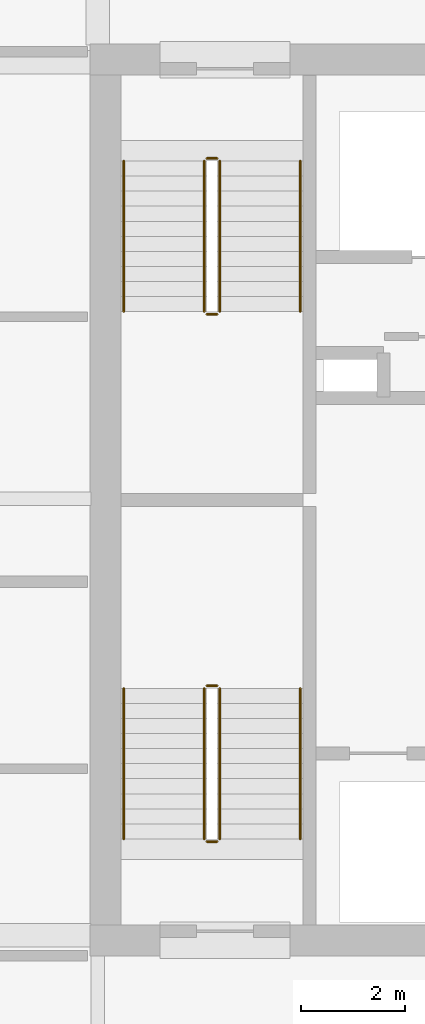
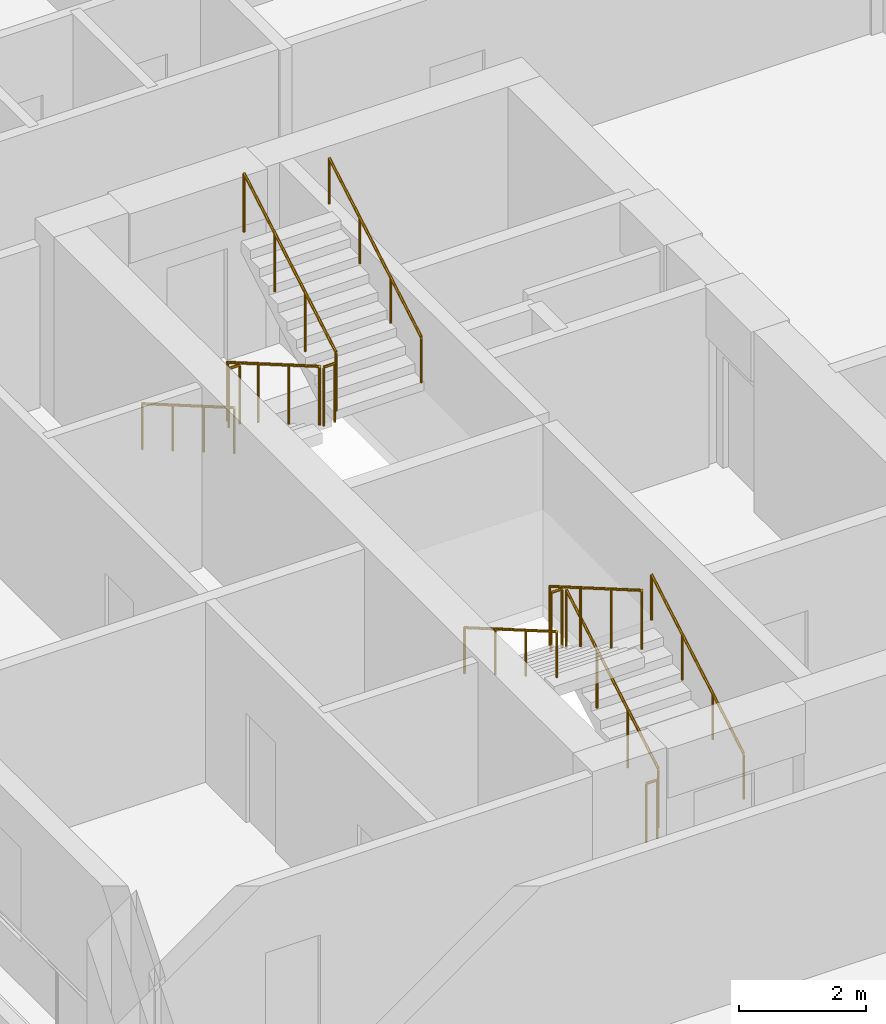
# One storey, part 12 of 13: 12 railings.
"""IFC4 building model written with IfcOpenShell, lengths in metres."""

from ifc_helpers import new_model, si_unit, direction, frame, origin, origin_2d, place, context, subcontext, project, spatial, circle, extrude, material, type_object, element, save


model = new_model("IFC4")

# Units and contexts
model_context = context("Model", 3, precision=1e-05, world=origin(), true_north=direction((0.0, 1.0)))
body_context = subcontext(model_context, "Body", "Model", "MODEL_VIEW")
ifc_project = project(units=[si_unit("LENGTHUNIT", "METRE"), si_unit("AREAUNIT", "SQUARE_METRE"), si_unit("VOLUMEUNIT", "CUBIC_METRE"), si_unit("PLANEANGLEUNIT", "RADIAN"), si_unit("MASSUNIT", "GRAM", prefix="KILO")], contexts=[model_context])

# Site, building, storey
site_placement = place(None, origin())
site = spatial("IfcSite", under=ifc_project, at=site_placement, CompositionType="ELEMENT")
building_placement = place(site_placement, origin())
building = spatial("IfcBuilding", under=site, at=building_placement, Name="Koriwani Terraces Tower", CompositionType="ELEMENT")
storey_placement = place(building_placement, frame((0.0, 0.0, 234.199951171875)))
storey = spatial("IfcBuildingStorey", under=building, at=storey_placement, Name="L57", CompositionType="ELEMENT", Elevation=234.199951171875)

# Railings
ifc_material = material(Name="Steel ASTM A572 Grade 50", Category="steel")
railing_type_1 = type_object("IfcRailingType", Name="GUARD_STAIR_WELL_1120", PredefinedType="GUARDRAIL", material=ifc_material)
railing_1_placement = place(storey_placement, frame((19.14990234375, 43.85009765625, 0.168212890625)))
element("IfcRailing", 1, at=railing_1_placement, inside=storey, type_object=railing_type_1, Name="L57 ST-W1 stair guard 1", PredefinedType="GUARDRAIL", context=body_context, shape_type="SweptSolid", body=[
    extrude(circle(Radius=0.02392578125, at=origin_2d()), frame((0.0, 0.0, 1.1259765625), z_axis=(0.0, 0.865038774852, 0.501705010941), x_axis=(-1.0, 0.0, 0.0)), (0.0, 0.0, 1.0), 3.352294921875),
    extrude(circle(Radius=0.02099609375, at=origin_2d()), origin(), (0.0, 0.0, 1.0), 1.101806640625),
    extrude(circle(Radius=0.02099609375, at=origin_2d()), frame((0.0, 0.966552734375, 0.560546875)), (0.0, 0.0, 1.0), 1.101806640625),
    extrude(circle(Radius=0.02099609375, at=origin_2d()), frame((0.0, 1.933349609375, 1.121337890625)), (0.0, 0.0, 1.0), 1.101806640625),
    extrude(circle(Radius=0.02099609375, at=origin_2d()), frame((0.0, 2.89990234375, 1.681884765625)), (0.0, 0.0, 1.0), 1.101806640625),
])
railing_2_placement = place(storey_placement, frame((19.10009765625, 46.800048828125, 1.85009765625)))
element("IfcRailing", 2, at=railing_2_placement, inside=storey, type_object=railing_type_1, Name="L57 ST-W1 stair guard 2", PredefinedType="GUARDRAIL", context=body_context, shape_type="SweptSolid", body=[
    extrude(circle(Radius=0.02392578125, at=origin_2d()), frame((0.0, 0.0, 1.1259765625), z_axis=(-1.0, 0.0, 0.0), x_axis=(0.0, -1.0, 0.0)), (0.0, 0.0, 1.0), 0.2001953125),
    extrude(circle(Radius=0.02099609375, at=origin_2d()), origin(), (0.0, 0.0, 1.0), 1.101806640625),
    extrude(circle(Radius=0.02099609375, at=origin_2d()), frame((-0.2001953125, 0.0, 0.0)), (0.0, 0.0, 1.0), 1.101806640625),
])
railing_3_placement = place(storey_placement, frame((18.85009765625, 46.75, 2.018310546875)))
element("IfcRailing", 3, at=railing_3_placement, inside=storey, type_object=railing_type_1, Name="L57 ST-W1 stair guard 3", PredefinedType="GUARDRAIL", context=body_context, shape_type="SweptSolid", body=[
    extrude(circle(Radius=0.02392578125, at=origin_2d()), frame((0.0, 0.0, 1.1259765625), z_axis=(0.0, -0.86507038078, 0.501650512107), x_axis=(1.0, 0.0, 0.0)), (0.0, 0.0, 1.0), 3.352294921875),
    extrude(circle(Radius=0.02099609375, at=origin_2d()), origin(), (0.0, 0.0, 1.0), 1.101806640625),
    extrude(circle(Radius=0.02099609375, at=origin_2d()), frame((0.0, -0.966552734375, 0.560546875)), (0.0, 0.0, 1.0), 1.101806640625),
    extrude(circle(Radius=0.02099609375, at=origin_2d()), frame((0.0, -1.933349609375, 1.12109375)), (0.0, 0.0, 1.0), 1.101806640625),
    extrude(circle(Radius=0.02099609375, at=origin_2d()), frame((0.0, -2.89990234375, 1.681640625)), (0.0, 0.0, 1.0), 1.101806640625),
])
railing_4_placement = place(storey_placement, frame((19.10009765625, 43.800048828125, 0.0)))
element("IfcRailing", 4, at=railing_4_placement, inside=storey, type_object=railing_type_1, Name="L57 ST-W1 stair guard 4", PredefinedType="GUARDRAIL", context=body_context, shape_type="SweptSolid", body=[
    extrude(circle(Radius=0.02392578125, at=origin_2d()), frame((0.0, 0.0, 1.1259765625), z_axis=(-1.0, 0.0, 0.0), x_axis=(0.0, -1.0, 0.0)), (0.0, 0.0, 1.0), 0.2001953125),
    extrude(circle(Radius=0.02099609375, at=origin_2d()), origin(), (0.0, 0.0, 1.0), 1.101806640625),
    extrude(circle(Radius=0.02099609375, at=origin_2d()), frame((-0.2001953125, 0.0, 0.0)), (0.0, 0.0, 1.0), 1.101806640625),
])
railing_5_placement = place(storey_placement, frame((18.85009765625, 56.89990234375, 0.168212890625)))
element("IfcRailing", 5, at=railing_5_placement, inside=storey, type_object=railing_type_1, Name="L57 ST-W2 stair guard 1", PredefinedType="GUARDRAIL", context=body_context, shape_type="SweptSolid", body=[
    extrude(circle(Radius=0.02392578125, at=origin_2d()), frame((0.0, 0.0, 1.1259765625), z_axis=(0.0, -0.865038774852, 0.501705010941), x_axis=(1.0, 0.0, 0.0)), (0.0, 0.0, 1.0), 3.352294921875),
    extrude(circle(Radius=0.02099609375, at=origin_2d()), origin(), (0.0, 0.0, 1.0), 1.101806640625),
    extrude(circle(Radius=0.02099609375, at=origin_2d()), frame((0.0, -0.966552734375, 0.560546875)), (0.0, 0.0, 1.0), 1.101806640625),
    extrude(circle(Radius=0.02099609375, at=origin_2d()), frame((0.0, -1.933349609375, 1.121337890625)), (0.0, 0.0, 1.0), 1.101806640625),
    extrude(circle(Radius=0.02099609375, at=origin_2d()), frame((0.0, -2.89990234375, 1.681884765625)), (0.0, 0.0, 1.0), 1.101806640625),
])
railing_6_placement = place(storey_placement, frame((18.89990234375, 53.949951171875, 1.85009765625)))
element("IfcRailing", 6, at=railing_6_placement, inside=storey, type_object=railing_type_1, Name="L57 ST-W2 stair guard 2", PredefinedType="GUARDRAIL", context=body_context, shape_type="SweptSolid", body=[
    extrude(circle(Radius=0.02392578125, at=origin_2d()), frame((0.0, 0.0, 1.1259765625), z_axis=(1.0, 0.0, 0.0), x_axis=(0.0, 1.0, 0.0)), (0.0, 0.0, 1.0), 0.2001953125),
    extrude(circle(Radius=0.02099609375, at=origin_2d()), origin(), (0.0, 0.0, 1.0), 1.101806640625),
    extrude(circle(Radius=0.02099609375, at=origin_2d()), frame((0.2001953125, 0.0, 0.0)), (0.0, 0.0, 1.0), 1.101806640625),
])
railing_7_placement = place(storey_placement, frame((19.14990234375, 54.0, 2.018310546875)))
element("IfcRailing", 7, at=railing_7_placement, inside=storey, type_object=railing_type_1, Name="L57 ST-W2 stair guard 3", PredefinedType="GUARDRAIL", context=body_context, shape_type="SweptSolid", body=[
    extrude(circle(Radius=0.02392578125, at=origin_2d()), frame((0.0, 0.0, 1.1259765625), z_axis=(0.0, 0.86507038078, 0.501650512107), x_axis=(-1.0, 0.0, 0.0)), (0.0, 0.0, 1.0), 3.352294921875),
    extrude(circle(Radius=0.02099609375, at=origin_2d()), origin(), (0.0, 0.0, 1.0), 1.101806640625),
    extrude(circle(Radius=0.02099609375, at=origin_2d()), frame((0.0, 0.966552734375, 0.560546875)), (0.0, 0.0, 1.0), 1.101806640625),
    extrude(circle(Radius=0.02099609375, at=origin_2d()), frame((0.0, 1.933349609375, 1.12109375)), (0.0, 0.0, 1.0), 1.101806640625),
    extrude(circle(Radius=0.02099609375, at=origin_2d()), frame((0.0, 2.89990234375, 1.681640625)), (0.0, 0.0, 1.0), 1.101806640625),
])
railing_8_placement = place(storey_placement, frame((18.89990234375, 56.949951171875, 0.0)))
element("IfcRailing", 8, at=railing_8_placement, inside=storey, type_object=railing_type_1, Name="L57 ST-W2 stair guard 4", PredefinedType="GUARDRAIL", context=body_context, shape_type="SweptSolid", body=[
    extrude(circle(Radius=0.02392578125, at=origin_2d()), frame((0.0, 0.0, 1.1259765625), z_axis=(1.0, 0.0, 0.0), x_axis=(0.0, 1.0, 0.0)), (0.0, 0.0, 1.0), 0.2001953125),
    extrude(circle(Radius=0.02099609375, at=origin_2d()), origin(), (0.0, 0.0, 1.0), 1.101806640625),
    extrude(circle(Radius=0.02099609375, at=origin_2d()), frame((0.2001953125, 0.0, 0.0)), (0.0, 0.0, 1.0), 1.101806640625),
])
railing_type_2 = type_object("IfcRailingType", Name="HANDRAIL_STAIR_920", PredefinedType="HANDRAIL", material=ifc_material)
railing_9_placement = place(storey_placement, frame((20.699951171875, 43.85009765625, 0.168212890625)))
element("IfcRailing", 9, at=railing_9_placement, inside=storey, type_object=railing_type_2, Name="L57 ST-W1 stair handrail 1", PredefinedType="HANDRAIL", context=body_context, shape_type="SweptSolid", body=[
    extrude(circle(Radius=0.02392578125, at=origin_2d()), frame((0.0, 0.0, 0.8759765625), z_axis=(0.0, 0.865038774852, 0.501705010941), x_axis=(-1.0, 0.0, 0.0)), (0.0, 0.0, 1.0), 3.352294921875),
    extrude(circle(Radius=0.02099609375, at=origin_2d()), origin(), (0.0, 0.0, 1.0), 0.851806640625),
    extrude(circle(Radius=0.02099609375, at=origin_2d()), frame((0.0, 0.966552734375, 0.560546875)), (0.0, 0.0, 1.0), 0.851806640625),
    extrude(circle(Radius=0.02099609375, at=origin_2d()), frame((0.0, 1.933349609375, 1.121337890625)), (0.0, 0.0, 1.0), 0.851806640625),
    extrude(circle(Radius=0.02099609375, at=origin_2d()), frame((0.0, 2.89990234375, 1.681884765625)), (0.0, 0.0, 1.0), 0.851806640625),
])
railing_10_placement = place(storey_placement, frame((17.300048828125, 46.75, 2.018310546875)))
element("IfcRailing", 10, at=railing_10_placement, inside=storey, type_object=railing_type_2, Name="L57 ST-W1 stair handrail 2", PredefinedType="HANDRAIL", context=body_context, shape_type="SweptSolid", body=[
    extrude(circle(Radius=0.02392578125, at=origin_2d()), frame((0.0, 0.0, 0.8759765625), z_axis=(0.0, -0.86507038078, 0.501650512107), x_axis=(1.0, 0.0, 0.0)), (0.0, 0.0, 1.0), 3.352294921875),
    extrude(circle(Radius=0.02099609375, at=origin_2d()), origin(), (0.0, 0.0, 1.0), 0.851806640625),
    extrude(circle(Radius=0.02099609375, at=origin_2d()), frame((0.0, -0.966552734375, 0.560546875)), (0.0, 0.0, 1.0), 0.851806640625),
    extrude(circle(Radius=0.02099609375, at=origin_2d()), frame((0.0, -1.933349609375, 1.12109375)), (0.0, 0.0, 1.0), 0.851806640625),
    extrude(circle(Radius=0.02099609375, at=origin_2d()), frame((0.0, -2.89990234375, 1.681640625)), (0.0, 0.0, 1.0), 0.851806640625),
])
railing_11_placement = place(storey_placement, frame((17.300048828125, 56.89990234375, 0.168212890625)))
element("IfcRailing", 11, at=railing_11_placement, inside=storey, type_object=railing_type_2, Name="L57 ST-W2 stair handrail 1", PredefinedType="HANDRAIL", context=body_context, shape_type="SweptSolid", body=[
    extrude(circle(Radius=0.02392578125, at=origin_2d()), frame((0.0, 0.0, 0.8759765625), z_axis=(0.0, -0.865038774852, 0.501705010941), x_axis=(1.0, 0.0, 0.0)), (0.0, 0.0, 1.0), 3.352294921875),
    extrude(circle(Radius=0.02099609375, at=origin_2d()), origin(), (0.0, 0.0, 1.0), 0.851806640625),
    extrude(circle(Radius=0.02099609375, at=origin_2d()), frame((0.0, -0.966552734375, 0.560546875)), (0.0, 0.0, 1.0), 0.851806640625),
    extrude(circle(Radius=0.02099609375, at=origin_2d()), frame((0.0, -1.933349609375, 1.121337890625)), (0.0, 0.0, 1.0), 0.851806640625),
    extrude(circle(Radius=0.02099609375, at=origin_2d()), frame((0.0, -2.89990234375, 1.681884765625)), (0.0, 0.0, 1.0), 0.851806640625),
])
railing_12_placement = place(storey_placement, frame((20.699951171875, 54.0, 2.018310546875)))
element("IfcRailing", 12, at=railing_12_placement, inside=storey, type_object=railing_type_2, Name="L57 ST-W2 stair handrail 2", PredefinedType="HANDRAIL", context=body_context, shape_type="SweptSolid", body=[
    extrude(circle(Radius=0.02392578125, at=origin_2d()), frame((0.0, 0.0, 0.8759765625), z_axis=(0.0, 0.86507038078, 0.501650512107), x_axis=(-1.0, 0.0, 0.0)), (0.0, 0.0, 1.0), 3.352294921875),
    extrude(circle(Radius=0.02099609375, at=origin_2d()), origin(), (0.0, 0.0, 1.0), 0.851806640625),
    extrude(circle(Radius=0.02099609375, at=origin_2d()), frame((0.0, 0.966552734375, 0.560546875)), (0.0, 0.0, 1.0), 0.851806640625),
    extrude(circle(Radius=0.02099609375, at=origin_2d()), frame((0.0, 1.933349609375, 1.12109375)), (0.0, 0.0, 1.0), 0.851806640625),
    extrude(circle(Radius=0.02099609375, at=origin_2d()), frame((0.0, 2.89990234375, 1.681640625)), (0.0, 0.0, 1.0), 0.851806640625),
])

save(model, "model.ifc")
